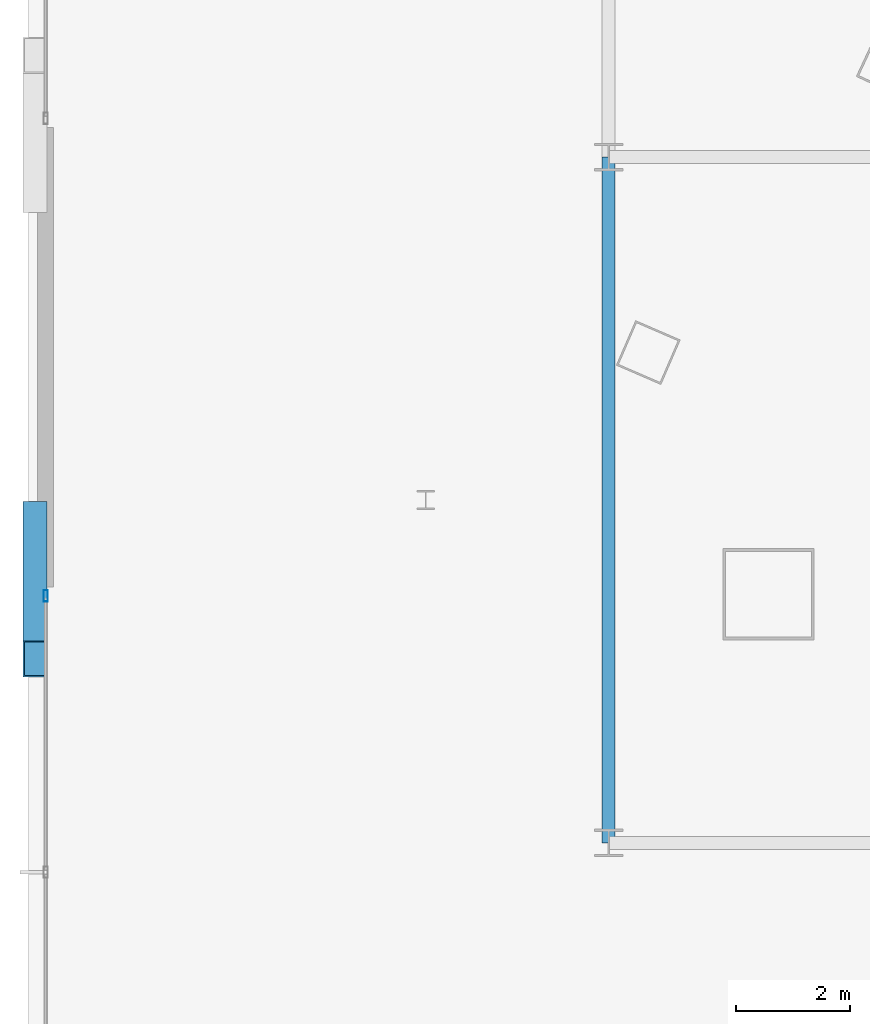
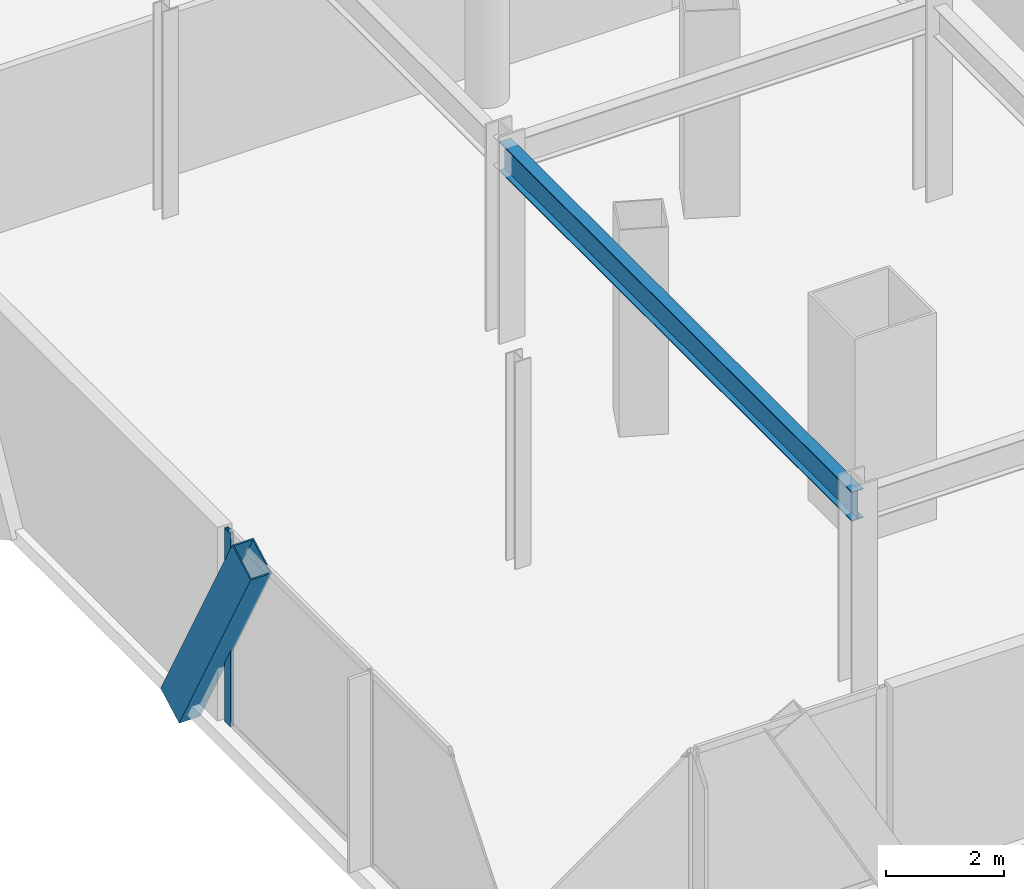
# One storey, part 7 of 42: 2 members, 1 beam, 1 element without a shape of its own.
"""IFC4 building model written with IfcOpenShell, lengths in metres."""

from ifc_helpers import new_model, si_unit, direction, frame, origin, origin_2d, place, context, subcontext, project, spatial, hollow_rectangle, i_section, extrude, material, layer, layer_set, material_profile, profile_set, type_object, element, aggregate, save


model = new_model("IFC4")

# Units and contexts
model_context = context("Model", 3, precision=1e-05, world=origin(), true_north=direction((0.0, 1.0)))
body_context = subcontext(model_context, "Body", "Model", "MODEL_VIEW")
ifc_project = project(units=[si_unit("LENGTHUNIT", "METRE"), si_unit("AREAUNIT", "SQUARE_METRE"), si_unit("VOLUMEUNIT", "CUBIC_METRE"), si_unit("PLANEANGLEUNIT", "RADIAN"), si_unit("MASSUNIT", "GRAM", prefix="KILO")], contexts=[model_context])

# Site, building, storey
site_placement = place(None, origin())
site = spatial("IfcSite", under=ifc_project, at=site_placement, CompositionType="ELEMENT")
building_placement = place(site_placement, origin())
building = spatial("IfcBuilding", under=site, at=building_placement, Name="Orvanel Arch Residences", CompositionType="ELEMENT")
storey_placement = place(building_placement, frame((0.0, 0.0, 5.5)))
storey = spatial("IfcBuildingStorey", under=building, at=storey_placement, Name="L01", CompositionType="ELEMENT", Elevation=5.5)

# Beam
ifc_material_1 = material(Name="Structural steel AS/NZS 3679.1 Grade 300 (300 MPa)", Category="steel")
ifc_material_profile_1 = material_profile(ifc_material_1, i_section(OverallWidth=0.22900390625, OverallDepth=0.612060546875, WebThickness=0.011962890625, FlangeThickness=0.01953125, at=origin_2d()), Name="610UB125")
ifc_profile_set_1 = profile_set([ifc_material_profile_1], Name="Structural steel AS/NZS 3679.1 Grade 300 (300 MPa)")
beam_type = type_object("IfcBeamType", Name="BG-610UB", PredefinedType="BEAM", material=ifc_profile_set_1)
beam_placement = place(storey_placement, frame((11.39990234375, 6.0, 3.714111328125), z_axis=(0.0, 1.0, 0.0), x_axis=(-1.0, 0.0, 0.0)))
element("IfcBeam", 1, at=beam_placement, inside=storey, type_object=beam_type, Name="L01 North-South Podium Girder XW11-S", PredefinedType="BEAM", context=body_context, shape_type="SweptSolid", body=[
    extrude(i_section(OverallWidth=0.22900390625, OverallDepth=0.612060546875, WebThickness=0.011962890625, FlangeThickness=0.01953125, at=origin_2d()), origin(), (0.0, 0.0, 1.0), 12.0),
])

# Member
ifc_material_2 = material(Name="Structural steel AS/NZS 3678 Grade 350", Category="steel")
ifc_material_profile_2 = material_profile(ifc_material_2, hollow_rectangle(XDim=0.419921875, YDim=0.719970703125, WallThickness=0.02490234375, at=origin_2d()), Name="RHS720x420x25")
ifc_profile_set_2 = profile_set([ifc_material_profile_2], Name="Structural steel AS/NZS 3678 Grade 350")
member_type_1 = type_object("IfcMemberType", Name="BR-720RHS-EXT", PredefinedType="BRACE", material=ifc_profile_set_2)
member_1_placement = place(storey_placement, frame((1.360107421875, 11.654052734375, -0.300048828125), z_axis=(0.0, -0.480038670678, 0.877247328097), x_axis=(1.0, 0.0, 0.0)))
element("IfcMember", 2, at=member_1_placement, inside=storey, type_object=member_type_1, Name="L01 Podium Multi-Storey V-Strut Pair W1 Leg 1", PredefinedType="BRACE", context=body_context, shape_type="SweptSolid", body=[
    extrude(hollow_rectangle(XDim=0.419921875, YDim=0.719970703125, WallThickness=0.02490234375, at=origin_2d()), origin(), (0.0, 0.0, 1.0), 5.072509765625),
])

# Curtain wall, member
ifc_material_3 = material(Name="Bronze-anodised aluminium AA6063-T6", Category="aluminium")
ifc_layer = layer(ifc_material_3, 0.199951171875)
ifc_layer_set = layer_set([ifc_layer], Name="Bronze-anodised aluminium AA6063-T6")
curtain_wall_type = type_object("IfcCurtainWallType", Name="CW1-POD-SYS", PredefinedType="NOTDEFINED", material=ifc_layer_set)
curtain_wall_placement = place(storey_placement, origin())
curtain_wall = element("IfcCurtainWall", 3, at=curtain_wall_placement, inside=storey, type_object=curtain_wall_type, Name="L01 CW1-POD-SYS Unitised Curtain Wall", PredefinedType="NOTDEFINED")
ifc_material_profile_3 = material_profile(ifc_material_3, hollow_rectangle(XDim=0.074951171875, YDim=0.199951171875, WallThickness=0.0048828125, at=origin_2d()), Name="ALU200x75x5")
ifc_profile_set_3 = profile_set([ifc_material_profile_3], Name="Bronze-anodised aluminium AA6063-T6")
member_type_2 = type_object("IfcMemberType", Name="MUL-200x75", PredefinedType="MULLION", material=ifc_profile_set_3)
member_2_placement = place(storey_placement, frame((1.550048828125, 10.322509765625, 0.0), z_axis=(0.0, 0.0, 1.0), x_axis=(1.0, 0.0, 0.0)))
member_2 = element("IfcMember", 4, at=member_2_placement, type_object=member_type_2, Name="CW-S1 mullion 1", PredefinedType="MULLION", context=body_context, shape_type="SweptSolid", body=[
    extrude(hollow_rectangle(XDim=0.074951171875, YDim=0.199951171875, WallThickness=0.0048828125, at=origin_2d()), origin(), (0.0, 0.0, 1.0), 4.02001953125),
])
aggregate(curtain_wall, [member_2])

save(model, "model.ifc")
